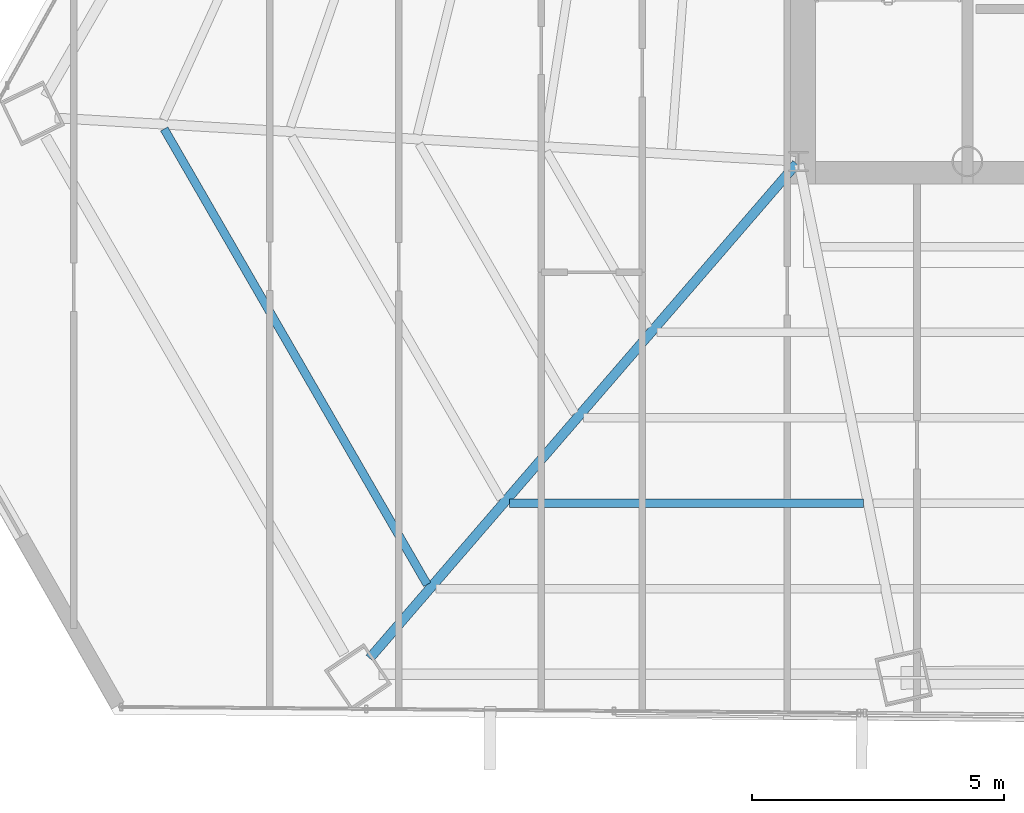
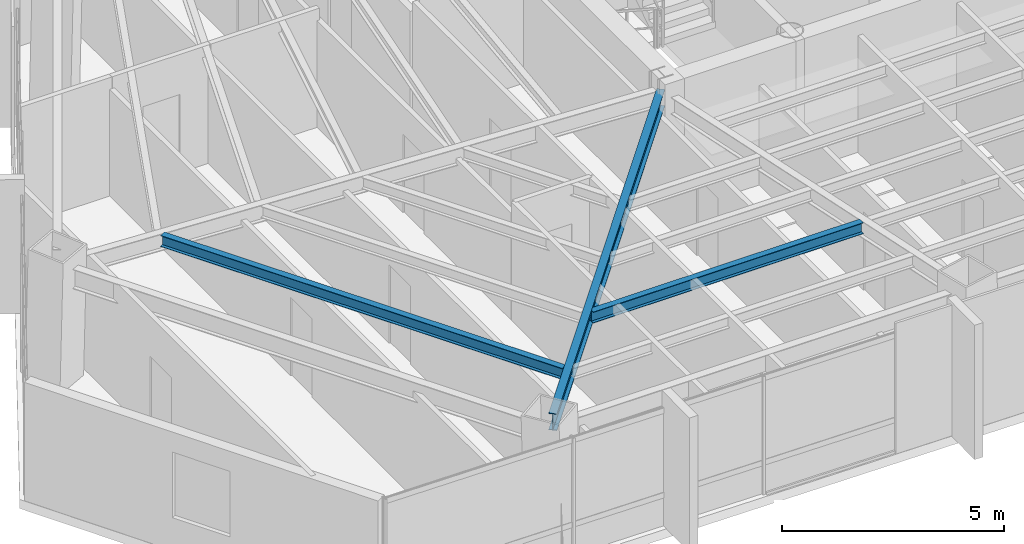
# One storey, part 5 of 40: 3 beams.
"""IFC4 building model written with IfcOpenShell, lengths in metres."""

from ifc_helpers import new_model, si_unit, direction, frame, origin, origin_2d, place, context, subcontext, project, spatial, i_section, extrude, source, transform, mapped, material, material_profile, profile_set, type_object, type_shapes, element, save


model = new_model("IFC4")

# Units and contexts
model_context = context("Model", 3, precision=1e-05, world=origin(), true_north=direction((0.0, 1.0)))
body_context = subcontext(model_context, "Body", "Model", "MODEL_VIEW")
ifc_project = project(units=[si_unit("LENGTHUNIT", "METRE"), si_unit("AREAUNIT", "SQUARE_METRE"), si_unit("VOLUMEUNIT", "CUBIC_METRE"), si_unit("PLANEANGLEUNIT", "RADIAN"), si_unit("MASSUNIT", "GRAM", prefix="KILO")], contexts=[model_context])

# Site, building, storey
site_placement = place(None, origin())
site = spatial("IfcSite", under=ifc_project, at=site_placement, CompositionType="ELEMENT")
building_placement = place(site_placement, origin())
building = spatial("IfcBuilding", under=site, at=building_placement, Name="Caelisora Broadcast Tower", CompositionType="ELEMENT")
storey_placement = place(building_placement, frame((0.0, 0.0, 146.39990234375)))
storey = spatial("IfcBuildingStorey", under=building, at=storey_placement, Name="L38", CompositionType="ELEMENT", Elevation=146.39990234375)

# Beams
ifc_material = material(Name="Steel Grade 350 (AS/NZS 3679.1)", Category="steel")
ifc_material_profile_1 = material_profile(ifc_material, i_section(OverallWidth=0.19091796875, OverallDepth=0.46044921875, WebThickness=0.010009765625, FlangeThickness=0.01611328125, at=origin_2d()), Name="Steel Grade 350 (AS/NZS 3679.1)")
ifc_profile_set_1 = profile_set([ifc_material_profile_1], Name="Steel Grade 350 (AS/NZS 3679.1)")
beam_type_1 = type_object("IfcBeamType", Name="PG06", PredefinedType="BEAM", material=ifc_profile_set_1)
shared_shape_1 = source(origin(), body_context, "Body", "SweptSolid", [
    extrude(i_section(OverallWidth=0.19091796875, OverallDepth=0.46044921875, WebThickness=0.010009765625, FlangeThickness=0.01611328125, at=origin_2d()), origin(), (0.0, 0.0, 1.0), 12.9599609375),
])
type_shapes(beam_type_1, [shared_shape_1])
beam_1_placement = place(storey_placement, frame((30.460693359375, 17.3544921875, 3.02001953125), z_axis=(-0.653381474359, -0.757028829679, 0.0), x_axis=(0.757028829679, -0.653381474359, 0.0)))
element("IfcBeam", 1, at=beam_1_placement, inside=storey, type_object=beam_type_1, Name="L38 beam PG06", PredefinedType="BEAM", context=body_context, shape_type="MappedRepresentation", body=[
    mapped(shared_shape_1, transform((0.0, 0.0, 0.0), scale=1.0)),
])
ifc_material_profile_2 = material_profile(ifc_material, i_section(OverallWidth=0.166015625, OverallDepth=0.30712890625, WebThickness=0.006591796875, FlangeThickness=0.01171875, at=origin_2d()), Name="Steel Grade 350 (AS/NZS 3679.1)")
ifc_profile_set_2 = profile_set([ifc_material_profile_2], Name="Steel Grade 350 (AS/NZS 3679.1)")
beam_type_2 = type_object("IfcBeamType", Name="SB03", PredefinedType="JOIST", material=ifc_profile_set_2)
shared_shape_2 = source(origin(), body_context, "Body", "SweptSolid", [
    extrude(i_section(OverallWidth=0.166015625, OverallDepth=0.30712890625, WebThickness=0.006591796875, FlangeThickness=0.01171875, at=origin_2d()), origin(), (0.0, 0.0, 1.0), 10.434814453125),
])
beam_2_placement = place(storey_placement, frame((17.915771484375, 18.04296875, 3.096435546875), z_axis=(0.499989116703, -0.866031687168, 0.0), x_axis=(0.866031687168, 0.499989116703, 0.0)))
element("IfcBeam", 2, at=beam_2_placement, inside=storey, type_object=beam_type_2, Name="L38 beam SB03", PredefinedType="JOIST", context=body_context, shape_type="MappedRepresentation", body=[
    mapped(shared_shape_2, transform((0.0, 0.0, 0.0), scale=1.0)),
])
shared_shape_3 = source(origin(), body_context, "Body", "SweptSolid", [
    extrude(i_section(OverallWidth=0.166015625, OverallDepth=0.30712890625, WebThickness=0.006591796875, FlangeThickness=0.01171875, at=origin_2d()), origin(), (0.0, 0.0, 1.0), 7.0185546875),
])
type_shapes(beam_type_2, [shared_shape_2, shared_shape_3])
beam_3_placement = place(storey_placement, frame((24.768798828125, 10.616943359375, 3.096435546875), z_axis=(1.0, 0.0, 0.0), x_axis=(0.0, 1.0, 0.0)))
element("IfcBeam", 3, at=beam_3_placement, inside=storey, type_object=beam_type_2, Name="L38 beam SB03", PredefinedType="JOIST", context=body_context, shape_type="MappedRepresentation", body=[
    mapped(shared_shape_3, transform((0.0, 0.0, 0.0), scale=1.0)),
])

save(model, "model.ifc")
